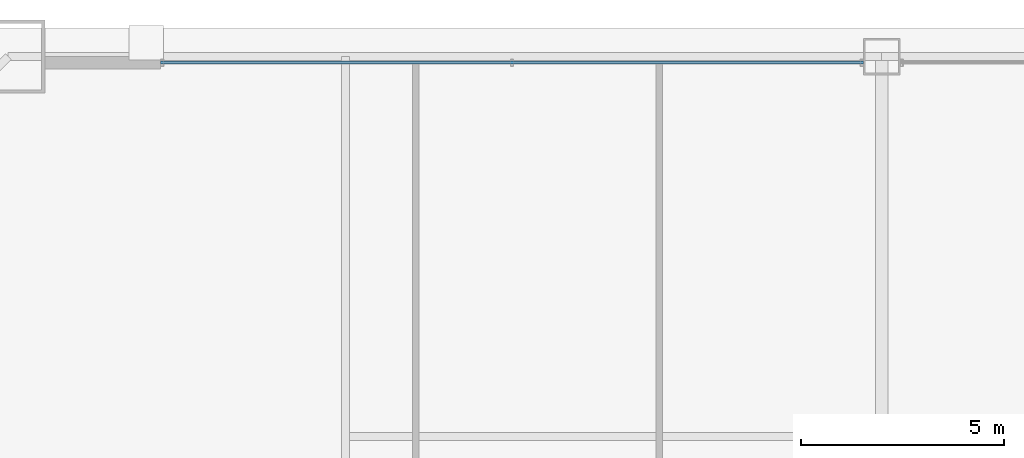
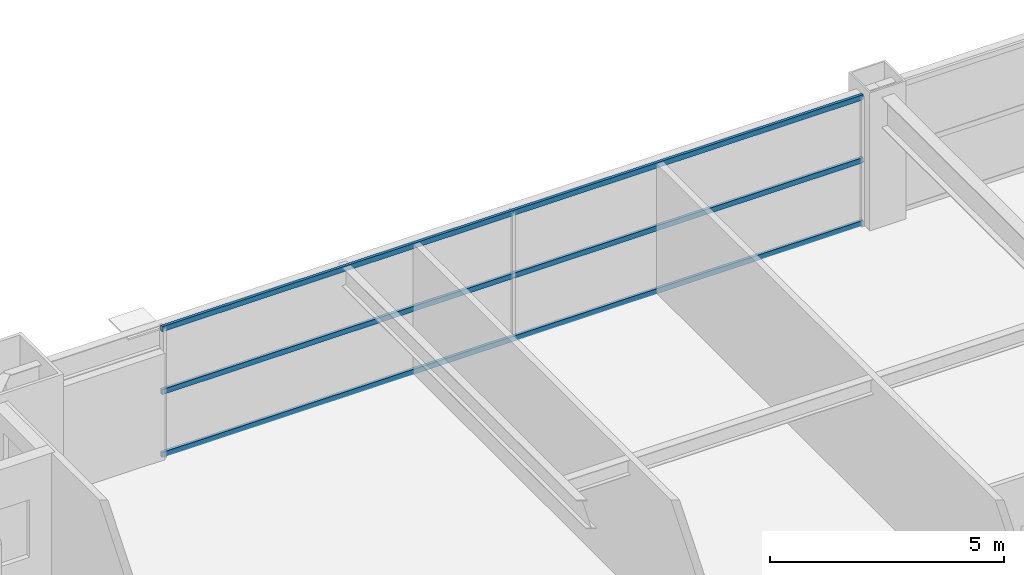
# One storey, part 29 of 43: 3 members, 1 element without a shape of its own.
"""IFC4 building model written with IfcOpenShell, lengths in metres."""

from ifc_helpers import new_model, si_unit, direction, frame, origin, origin_2d, place, context, subcontext, project, spatial, hollow_rectangle, extrude, source, transform, mapped, material, layer, layer_set, material_profile, profile_set, type_object, element, aggregate, save


model = new_model("IFC4")

# Units and contexts
model_context = context("Model", 3, precision=1e-05, world=origin(), true_north=direction((0.0, 1.0)))
body_context = subcontext(model_context, "Body", "Model", "MODEL_VIEW")
ifc_project = project(units=[si_unit("LENGTHUNIT", "METRE"), si_unit("AREAUNIT", "SQUARE_METRE"), si_unit("VOLUMEUNIT", "CUBIC_METRE"), si_unit("PLANEANGLEUNIT", "RADIAN"), si_unit("MASSUNIT", "GRAM", prefix="KILO"), si_unit("THERMODYNAMICTEMPERATUREUNIT", "KELVIN"), si_unit("POWERUNIT", "WATT")], contexts=[model_context])

# Site, building, storey
site_placement = place(None, origin())
site = spatial("IfcSite", under=ifc_project, at=site_placement, CompositionType="ELEMENT")
building_placement = place(site_placement, origin())
building = spatial("IfcBuilding", under=site, at=building_placement, Name="Yuzanri Waterfront Tower", CompositionType="ELEMENT")
storey_placement = place(building_placement, frame((0.0, 0.0, 78.39990234375)))
storey = spatial("IfcBuildingStorey", under=building, at=storey_placement, Name="L20", CompositionType="ELEMENT", Elevation=78.39990234375)

# Curtain wall, members
ifc_material_1 = material(Name="Anodized Architectural Bronze", Category="metal")
ifc_layer = layer(ifc_material_1, 0.159912109375)
ifc_layer_set = layer_set([ifc_layer], Name="Anodized Architectural Bronze")
curtain_wall_type = type_object("IfcCurtainWallType", Name="Anodized Bronze Hotel Lower-Tier Recessed Unitized Curtain Wall 8100", PredefinedType="NOTDEFINED", material=ifc_layer_set)
curtain_wall_placement = place(storey_placement, origin())
curtain_wall = element("IfcCurtainWall", 1, at=curtain_wall_placement, inside=storey, type_object=curtain_wall_type, Name="L20 Curtain Wall CW-L20-NL", PredefinedType="NOTDEFINED")
ifc_material_2 = material(Name="Anodized Architectural Bronze", Category="metal")
ifc_material_profile = material_profile(ifc_material_2, hollow_rectangle(XDim=0.070068359375, YDim=0.135009765625, WallThickness=0.00341796875, at=origin_2d()), Name="CWT 70x135")
ifc_profile_set = profile_set([ifc_material_profile], Name="Anodized Architectural Bronze")
member_type = type_object("IfcMemberType", Name="Anodized Bronze Standard Curtain-Wall Transom 70x135", PredefinedType="USERDEFINED", material=ifc_profile_set)
shared_shape = source(origin(), body_context, "Body", "SweptSolid", [
    extrude(hollow_rectangle(XDim=0.070068359375, YDim=0.135009765625, WallThickness=0.00341796875, at=origin_2d()), origin(), (0.0, 0.0, 1.0), 17.300048828125),
])
member_1_placement = place(storey_placement, frame((19.25, 50.75, 0.050048828125), z_axis=(1.0, 0.0, 0.0), x_axis=(0.0, 1.0, 0.0)))
member_1 = element("IfcMember", 2, at=member_1_placement, type_object=member_type, Name="CW-L20-NL Transom 1", ObjectType="TRANSOM", PredefinedType="USERDEFINED", context=body_context, shape_type="MappedRepresentation", body=[
    mapped(shared_shape, transform((0.0, 0.0, 0.0), scale=1.0)),
])
member_2_placement = place(storey_placement, frame((19.25, 50.75, 1.690185546875), z_axis=(1.0, 0.0, 0.0), x_axis=(0.0, 1.0, 0.0)))
member_2 = element("IfcMember", 3, at=member_2_placement, type_object=member_type, Name="CW-L20-NL Transom 2", ObjectType="TRANSOM", PredefinedType="USERDEFINED", context=body_context, shape_type="MappedRepresentation", body=[
    mapped(shared_shape, transform((0.0, 0.0, 0.0), scale=1.0)),
])
member_3_placement = place(storey_placement, frame((19.25, 50.75, 3.330078125), z_axis=(1.0, 0.0, 0.0), x_axis=(0.0, 1.0, 0.0)))
member_3 = element("IfcMember", 4, at=member_3_placement, type_object=member_type, Name="CW-L20-NL Transom 3", ObjectType="TRANSOM", PredefinedType="USERDEFINED", context=body_context, shape_type="MappedRepresentation", body=[
    mapped(shared_shape, transform((0.0, 0.0, 0.0), scale=1.0)),
])
aggregate(curtain_wall, [member_1, member_2, member_3])

save(model, "model.ifc")
